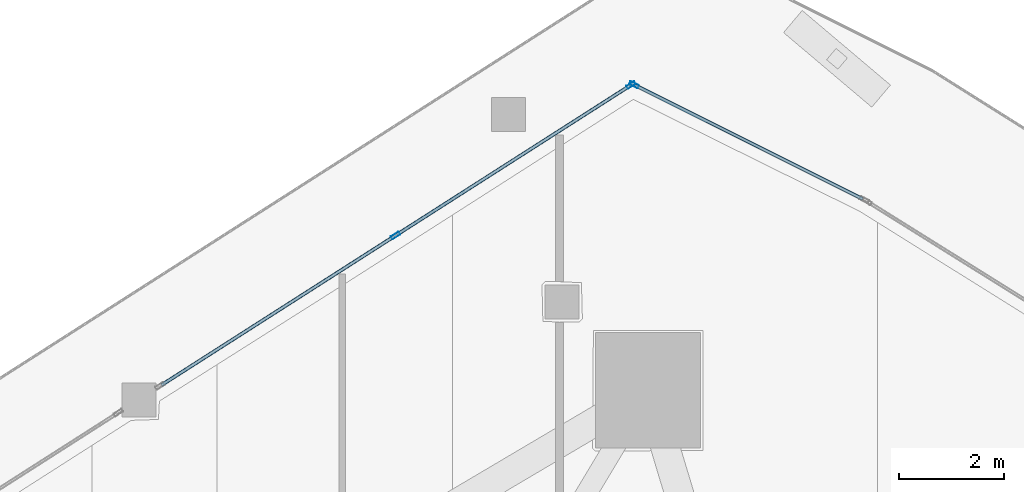
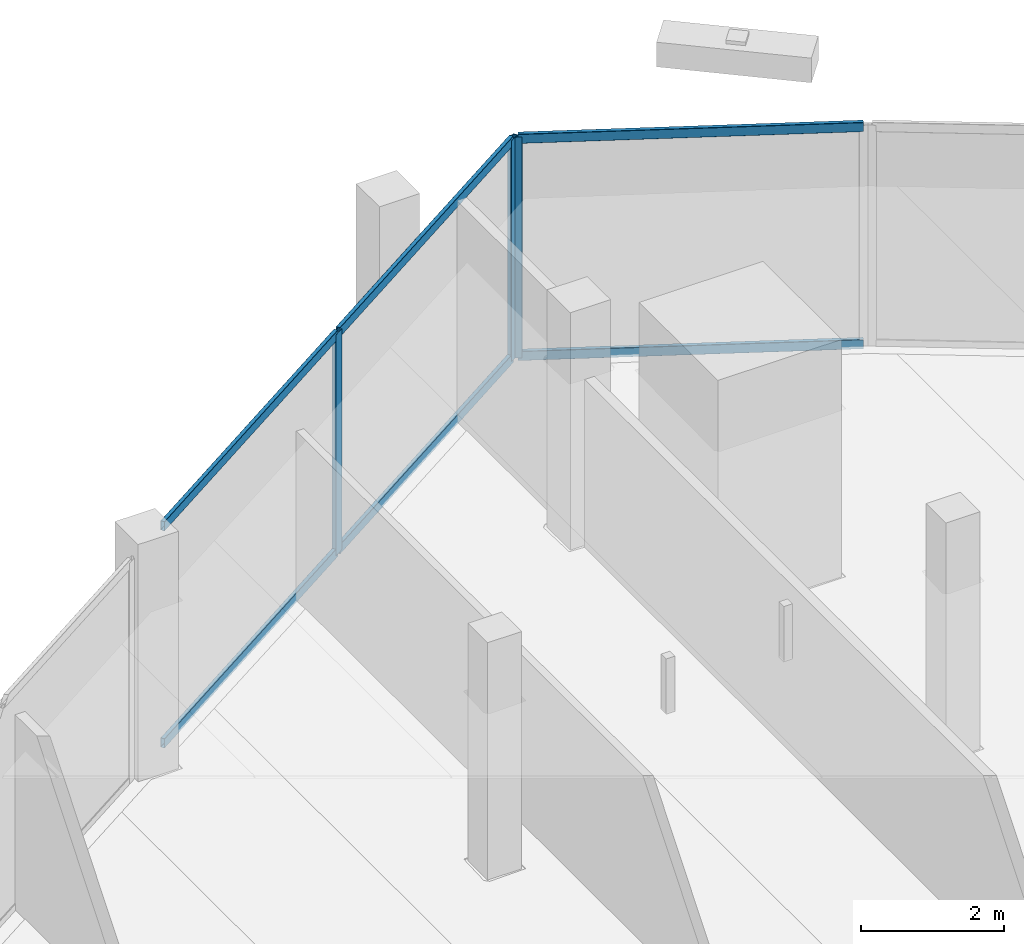
# One storey, part 23 of 44: 9 members, 2 elements without a shape of their own.
"""IFC4 building model written with IfcOpenShell, lengths in metres."""

import ifcopenshell
import ifcopenshell.guid

model = None  # the IFC model being written
_history = None  # IfcOwnerHistory: only IFC2X3 demands one
_inside = {}  # id of a spatial element -> (the spatial element, [elements in it])
_under = {}  # id of a project, library or spatial element -> (it, [spatial elements below it])
_declared = {}  # id of a project -> (the project, [libraries it declares])
_typed = {}  # id of a type object -> (the type object, [elements of that type])
_made_of = {}  # id of a material, layer set ... -> (it, [elements and type objects made of it])


def new_model(schema):
    """Start an empty IFC model of exactly this schema.

    Asked for "IFC4X3", IfcOpenShell would pick the latest addendum, in which some entities
    have other attributes; the version numbers below select the first issue.
    IFC2X3 requires an IfcOwnerHistory on every rooted entity: one is made here for all.
    """
    global model, _history
    if schema == "IFC4X3":
        model = ifcopenshell.file(schema_version=(4, 3, 0, 0))
    else:
        model = ifcopenshell.file(schema=schema)
    _inside.clear()
    _under.clear()
    _declared.clear()
    _typed.clear()
    _made_of.clear()
    _history = None
    if model.schema == "IFC2X3":
        org = make("IfcOrganization", Name="unknown")
        user = make(
            "IfcPersonAndOrganization",
            ThePerson=make("IfcPerson", FamilyName="unknown"),
            TheOrganization=org,
        )
        app = make(
            "IfcApplication",
            ApplicationDeveloper=org,
            Version="unknown",
            ApplicationFullName="unknown",
            ApplicationIdentifier="unknown",
        )
        _history = make(
            "IfcOwnerHistory",
            OwningUser=user,
            OwningApplication=app,
            ChangeAction="ADDED",
            CreationDate=0,
        )
    return model


def make(cls, **values):
    """One entity of the class cls with the attributes given. An attribute that is None is left unset."""
    return model.create_entity(
        cls, **{name: value for name, value in values.items() if value is not None}
    )


def rooted(cls, **values):
    """An entity with a GlobalId (a new one), such as an element, a storey or a relation."""
    return make(cls, GlobalId=ifcopenshell.guid.new(), OwnerHistory=_history, **values)


def si_unit(unit_type, name, prefix=None):
    """IfcSIUnit, for example si_unit("LENGTHUNIT", "METRE", prefix="MILLI")."""
    return make("IfcSIUnit", UnitType=unit_type, Prefix=prefix, Name=name)


def assignment(units):
    """IfcUnitAssignment: the units of a project."""
    return None if units is None else make("IfcUnitAssignment", Units=units)


def point(xyz):
    """IfcCartesianPoint."""
    return None if xyz is None else make("IfcCartesianPoint", Coordinates=xyz)


def direction(xyz):
    """IfcDirection."""
    return None if xyz is None else make("IfcDirection", DirectionRatios=xyz)


def frame(location, z_axis=None, x_axis=None):
    """IfcAxis2Placement3D, a coordinate frame: its origin and axes. An axis left out is left unset."""
    return make(
        "IfcAxis2Placement3D",
        Location=point(location),
        Axis=direction(z_axis),
        RefDirection=direction(x_axis),
    )


def frame_2d(location, x_axis=None):
    """IfcAxis2Placement2D, a coordinate frame in the plane: its origin and x axis."""
    return make(
        "IfcAxis2Placement2D", Location=point(location), RefDirection=direction(x_axis)
    )


def origin():
    """The frame at (0, 0, 0) with its axes left unset."""
    return frame((0.0, 0.0, 0.0))


def origin_2d():
    """The frame at (0, 0) in the plane with its x axis left unset."""
    return frame_2d((0.0, 0.0))


def place(relative_to, where):
    """IfcLocalPlacement: puts the frame where relative to a parent placement (None: the world)."""
    return make(
        "IfcLocalPlacement", PlacementRelTo=relative_to, RelativePlacement=where
    )


def context(
    kind, dimensions, precision=None, world=None, true_north=None, identifier=None
):
    """IfcGeometricRepresentationContext, for example the 3D "Model" context."""
    return make(
        "IfcGeometricRepresentationContext",
        ContextIdentifier=identifier,
        ContextType=kind,
        CoordinateSpaceDimension=dimensions,
        Precision=precision,
        WorldCoordinateSystem=world,
        TrueNorth=true_north,
    )


def subcontext(parent, identifier, kind, view, scale=None):
    """IfcGeometricRepresentationSubContext, for example "Body" below "Model"."""
    return make(
        "IfcGeometricRepresentationSubContext",
        ContextIdentifier=identifier,
        ContextType=kind,
        ParentContext=parent,
        TargetScale=scale,
        TargetView=view,
    )


def project(units=None, contexts=None):
    """IfcProject with its units and contexts."""
    return rooted(
        "IfcProject",
        Name="project",
        RepresentationContexts=contexts,
        UnitsInContext=assignment(units),
    )


def spatial(cls, under=None, at=None, **own):
    """A site, building, storey or space (cls), placed at a placement, below another one or the project."""
    s = rooted(cls, ObjectPlacement=at, **own)
    if under is not None:
        _under.setdefault(under.id(), (under, []))[1].append(s)
    return s


def profile(cls, at=None, kind="AREA", **sizes):
    """A parametric profile (cls). Its sizes go by their IFC names, for example OverallWidth=200.0."""
    return make(cls, ProfileType=kind, Position=at, **sizes)


def hollow_rectangle(**sizes):
    """IfcRectangleHollowProfileDef."""
    return profile("IfcRectangleHollowProfileDef", **sizes)


def extrude(swept, where, along, depth):
    """IfcExtrudedAreaSolid: the profile swept, set in the frame where, extruded along a direction by depth."""
    return make(
        "IfcExtrudedAreaSolid",
        SweptArea=swept,
        Position=where,
        ExtrudedDirection=direction(along),
        Depth=depth,
    )


def shape(context_of_items, identifier, shape_type, items):
    """IfcShapeRepresentation: the items that make up one representation, for example the "Body"."""
    return make(
        "IfcShapeRepresentation",
        ContextOfItems=context_of_items,
        RepresentationIdentifier=identifier,
        RepresentationType=shape_type,
        Items=items,
    )


def material(Name=None, Category=None):
    """IfcMaterial."""
    return make("IfcMaterial", Name=Name, Category=Category)


def layer(
    of_material, thickness, ventilated=None, Name=None, Category=None, Priority=None
):
    """IfcMaterialLayer: one layer of a wall or slab, of a material (None: an air gap)."""
    return make(
        "IfcMaterialLayer",
        Material=of_material,
        LayerThickness=thickness,
        IsVentilated=ventilated,
        Name=Name,
        Category=Category,
        Priority=Priority,
    )


def layer_set(layers, Name=None):
    """IfcMaterialLayerSet."""
    return make("IfcMaterialLayerSet", MaterialLayers=layers, LayerSetName=Name)


def material_profile(
    of_material, cross_section, Name=None, Category=None, Priority=None
):
    """IfcMaterialProfile: a cross section and its material."""
    return make(
        "IfcMaterialProfile",
        Name=Name,
        Material=of_material,
        Profile=cross_section,
        Priority=Priority,
        Category=Category,
    )


def profile_set(profiles, Name=None, composite=None):
    """IfcMaterialProfileSet."""
    return make(
        "IfcMaterialProfileSet",
        Name=Name,
        MaterialProfiles=profiles,
        CompositeProfile=composite,
    )


def made_of(thing, what):
    """Note that an element or type object is made of a material, layer set ...; save() writes the relation."""
    if what is not None:
        _made_of.setdefault(what.id(), (what, []))[1].append(thing)
    return thing


def type_object(cls, material=None, **own):
    """A type object (cls), such as IfcWallType, which elements share."""
    return made_of(rooted(cls, **own), material)


def element(
    cls,
    number,
    at=None,
    inside=None,
    cuts=None,
    type_object=None,
    material=None,
    context=None,
    identifier="Body",
    shape_type=None,
    held_by="IfcProductDefinitionShape",
    body=None,
    shapes=None,
    **own,
):
    """One element of the class cls, such as IfcWall. Its Tag is "e" and its number.

    at: its placement. inside: the storey or other place that contains it. cuts: it is an
    opening in that element (IfcRelVoidsElement). A single representation is given by context,
    identifier, shape_type and body (its items); several are given by shapes. held_by: the class
    of the entity that holds the representations. save() writes the other relations.
    """
    e = rooted(cls, Tag="e%d" % number, ObjectPlacement=at, **own)
    if body is not None:
        shapes = [shape(context, identifier, shape_type, body)]
    if shapes is not None:
        e.Representation = make(held_by, Representations=shapes)
    if inside is not None:
        _inside.setdefault(inside.id(), (inside, []))[1].append(e)
    if cuts is not None:
        rooted(
            "IfcRelVoidsElement", RelatingBuildingElement=cuts, RelatedOpeningElement=e
        )
    if type_object is not None:
        _typed.setdefault(type_object.id(), (type_object, []))[1].append(e)
    return made_of(e, material)


def aggregate(whole, parts):
    """IfcRelAggregates: a whole, such as a stair, and the parts it consists of."""
    return rooted("IfcRelAggregates", RelatingObject=whole, RelatedObjects=parts)


def save(model, path):
    """Write the relations noted so far, then the file.

    IfcRelAggregates (storeys below a building ...), IfcRelContainedInSpatialStructure (elements
    in a storey), IfcRelDefinesByType, IfcRelAssociatesMaterial and IfcRelDeclares: one each for
    every whole, place, type object, material and project.
    """
    for whole, parts in _under.values():
        aggregate(whole, parts)
    for where, things in _inside.values():
        rooted(
            "IfcRelContainedInSpatialStructure",
            RelatedElements=things,
            RelatingStructure=where,
        )
    for kind, things in _typed.values():
        rooted("IfcRelDefinesByType", RelatedObjects=things, RelatingType=kind)
    for what, things in _made_of.values():
        rooted("IfcRelAssociatesMaterial", RelatedObjects=things, RelatingMaterial=what)
    for by, libraries in _declared.values():
        rooted("IfcRelDeclares", RelatingContext=by, RelatedDefinitions=libraries)
    model.write(path)


model = new_model("IFC4")

# Units and contexts
model_context = context("Model", 3, precision=1e-05, world=origin(), true_north=direction((0.0, 1.0)))
body_context = subcontext(model_context, "Body", "Model", "MODEL_VIEW")
ifc_project = project(units=[si_unit("LENGTHUNIT", "METRE"), si_unit("AREAUNIT", "SQUARE_METRE"), si_unit("VOLUMEUNIT", "CUBIC_METRE"), si_unit("PLANEANGLEUNIT", "RADIAN"), si_unit("MASSUNIT", "GRAM", prefix="KILO")], contexts=[model_context])

# Site, building, storey
site_placement = place(None, origin())
site = spatial("IfcSite", under=ifc_project, at=site_placement, CompositionType="ELEMENT")
building_placement = place(site_placement, origin())
building = spatial("IfcBuilding", under=site, at=building_placement, Name="Qorvath Tower", CompositionType="ELEMENT")
storey_placement = place(building_placement, frame((0.0, 0.0, 113.85009765625)))
storey = spatial("IfcBuildingStorey", under=building, at=storey_placement, Name="L25", CompositionType="ELEMENT", Elevation=113.85009765625)

# Curtain wall, member
ifc_material_1 = material(Name="Anodised aluminium and triple low-E glass", Category="aluminium")
ifc_layer = layer(ifc_material_1, 0.179931640625)
ifc_layer_set = layer_set([ifc_layer], Name="CW-SYS-2")
curtain_wall_type = type_object("IfcCurtainWallType", Name="CW-SYS-2", PredefinedType="NOTDEFINED", material=ifc_layer_set)
curtain_wall_1_placement = place(storey_placement, origin())
curtain_wall_1 = element("IfcCurtainWall", 1, at=curtain_wall_1_placement, inside=storey, type_object=curtain_wall_type, Name="Curtain Wall CW-2 CW-T-L25-15.1", PredefinedType="NOTDEFINED")
ifc_material_2 = material(Name="Anodised aluminium 6063-T6", Category="aluminium")
ifc_material_profile_1 = material_profile(ifc_material_2, hollow_rectangle(XDim=0.06494140625, YDim=0.179931640625, WallThickness=0.00341796875, InnerFilletRadius=0.00341796875, OuterFilletRadius=0.007080078125, at=origin_2d()), Name="CWM 180x65")
ifc_profile_set_1 = profile_set([ifc_material_profile_1], Name="Anodised aluminium 6063-T6")
member_type_1 = type_object("IfcMemberType", Name="CWM-180", PredefinedType="MULLION", material=ifc_profile_set_1)
member_1_placement = place(storey_placement, frame((-15.61083984375, 31.065673828125, 0.0), z_axis=(0.0, 0.0, 1.0), x_axis=(-0.447181364469, -0.89444330579, 0.0)))
member_1 = element("IfcMember", 2, at=member_1_placement, type_object=member_type_1, Name="CW-2 mullion 2", PredefinedType="MULLION", context=body_context, shape_type="SweptSolid", body=[
    extrude(hollow_rectangle(XDim=0.06494140625, YDim=0.179931640625, WallThickness=0.00341796875, InnerFilletRadius=0.00341796875, OuterFilletRadius=0.007080078125, at=origin_2d()), origin(), (0.0, 0.0, 1.0), 3.77001953125),
])

# Curtain wall, members
curtain_wall_2_placement = place(storey_placement, origin())
curtain_wall_2 = element("IfcCurtainWall", 3, at=curtain_wall_2_placement, inside=storey, type_object=curtain_wall_type, Name="Curtain Wall CW-2 CW-T-L25-16.1", PredefinedType="NOTDEFINED")
member_2_placement = place(storey_placement, frame((-15.667236328125, 31.062744140625, 0.0), z_axis=(0.0, 0.0, 1.0), x_axis=(0.538532879619, -0.842604496528, 0.0)))
member_2 = element("IfcMember", 4, at=member_2_placement, type_object=member_type_1, Name="CW-2 mullion 1", PredefinedType="MULLION", context=body_context, shape_type="SweptSolid", body=[
    extrude(hollow_rectangle(XDim=0.06494140625, YDim=0.179931640625, WallThickness=0.00341796875, InnerFilletRadius=0.00341796875, OuterFilletRadius=0.007080078125, at=origin_2d()), origin(), (0.0, 0.0, 1.0), 3.77001953125),
])
member_3_placement = place(storey_placement, frame((-20.15380859375, 28.1953125, 0.0), z_axis=(0.0, 0.0, 1.0), x_axis=(0.538532879619, -0.842604496528, 0.0)))
member_3 = element("IfcMember", 5, at=member_3_placement, type_object=member_type_1, Name="CW-2 mullion 2", PredefinedType="MULLION", context=body_context, shape_type="SweptSolid", body=[
    extrude(hollow_rectangle(XDim=0.06494140625, YDim=0.179931640625, WallThickness=0.00341796875, InnerFilletRadius=0.00341796875, OuterFilletRadius=0.007080078125, at=origin_2d()), origin(), (0.0, 0.0, 1.0), 3.77001953125),
])

# Member
ifc_material_3 = material(Name="Anodised aluminium 6063-T6", Category="aluminium")
ifc_material_profile_2 = material_profile(ifc_material_3, hollow_rectangle(XDim=0.06494140625, YDim=0.159912109375, WallThickness=0.00341796875, InnerFilletRadius=0.00341796875, OuterFilletRadius=0.007080078125, at=origin_2d()), Name="CWT 160x65")
ifc_profile_set_2 = profile_set([ifc_material_profile_2], Name="Anodised aluminium 6063-T6")
member_type_2 = type_object("IfcMemberType", Name="CWT-160", PredefinedType="USERDEFINED", material=ifc_profile_set_2)
member_4_placement = place(storey_placement, frame((-11.2578125, 28.889404296875, 0.032470703125), z_axis=(-0.894437291131, 0.447193394668, 0.0), x_axis=(-0.447193394668, -0.894437291131, 0.0)))
member_4 = element("IfcMember", 6, at=member_4_placement, type_object=member_type_2, Name="CW-2 transom 1.1", ObjectType="TRANSOM", PredefinedType="USERDEFINED", context=body_context, shape_type="SweptSolid", body=[
    extrude(hollow_rectangle(XDim=0.06494140625, YDim=0.159912109375, WallThickness=0.00341796875, InnerFilletRadius=0.00341796875, OuterFilletRadius=0.007080078125, at=origin_2d()), origin(), (0.0, 0.0, 1.0), 4.834228515625),
])

member_5_placement = place(storey_placement, frame((-11.2578125, 28.889404296875, 3.737548828125), z_axis=(-0.894437291131, 0.447193394668, 0.0), x_axis=(-0.447193394668, -0.894437291131, 0.0)))
member_5 = element("IfcMember", 7, at=member_5_placement, type_object=member_type_2, Name="CW-2 transom 1.2", ObjectType="TRANSOM", PredefinedType="USERDEFINED", context=body_context, shape_type="SweptSolid", body=[
    extrude(hollow_rectangle(XDim=0.06494140625, YDim=0.159912109375, WallThickness=0.00341796875, InnerFilletRadius=0.00341796875, OuterFilletRadius=0.007080078125, at=origin_2d()), origin(), (0.0, 0.0, 1.0), 4.834228515625),
])

aggregate(curtain_wall_1, [member_1, member_4, member_5])

member_6_placement = place(storey_placement, frame((-15.694580078125, 31.04541015625, 0.032470703125), z_axis=(-0.842593283783, -0.538550423009, 0.0), x_axis=(0.538550423009, -0.842593283783, 0.0)))
member_6 = element("IfcMember", 8, at=member_6_placement, type_object=member_type_2, Name="CW-2 transom 1.1", ObjectType="TRANSOM", PredefinedType="USERDEFINED", context=body_context, shape_type="SweptSolid", body=[
    extrude(hollow_rectangle(XDim=0.06494140625, YDim=0.159912109375, WallThickness=0.00341796875, InnerFilletRadius=0.00341796875, OuterFilletRadius=0.007080078125, at=origin_2d()), origin(), (0.0, 0.0, 1.0), 5.259521484375),
])

member_7_placement = place(storey_placement, frame((-15.694580078125, 31.04541015625, 3.737548828125), z_axis=(-0.842593283783, -0.538550423009, 0.0), x_axis=(0.538550423009, -0.842593283783, 0.0)))
member_7 = element("IfcMember", 9, at=member_7_placement, type_object=member_type_2, Name="CW-2 transom 1.2", ObjectType="TRANSOM", PredefinedType="USERDEFINED", context=body_context, shape_type="SweptSolid", body=[
    extrude(hollow_rectangle(XDim=0.06494140625, YDim=0.159912109375, WallThickness=0.00341796875, InnerFilletRadius=0.00341796875, OuterFilletRadius=0.007080078125, at=origin_2d()), origin(), (0.0, 0.0, 1.0), 5.259521484375),
])

member_8_placement = place(storey_placement, frame((-20.18115234375, 28.177978515625, 0.032470703125), z_axis=(-0.842593283783, -0.538550423009, 0.0), x_axis=(0.538550423009, -0.842593283783, 0.0)))
member_8 = element("IfcMember", 10, at=member_8_placement, type_object=member_type_2, Name="CW-2 transom 2.1", ObjectType="TRANSOM", PredefinedType="USERDEFINED", context=body_context, shape_type="SweptSolid", body=[
    extrude(hollow_rectangle(XDim=0.06494140625, YDim=0.159912109375, WallThickness=0.00341796875, InnerFilletRadius=0.00341796875, OuterFilletRadius=0.007080078125, at=origin_2d()), origin(), (0.0, 0.0, 1.0), 5.259521484375),
])

member_9_placement = place(storey_placement, frame((-20.18115234375, 28.177978515625, 3.737548828125), z_axis=(-0.842593283783, -0.538550423009, 0.0), x_axis=(0.538550423009, -0.842593283783, 0.0)))
member_9 = element("IfcMember", 11, at=member_9_placement, type_object=member_type_2, Name="CW-2 transom 2.2", ObjectType="TRANSOM", PredefinedType="USERDEFINED", context=body_context, shape_type="SweptSolid", body=[
    extrude(hollow_rectangle(XDim=0.06494140625, YDim=0.159912109375, WallThickness=0.00341796875, InnerFilletRadius=0.00341796875, OuterFilletRadius=0.007080078125, at=origin_2d()), origin(), (0.0, 0.0, 1.0), 5.259521484375),
])

aggregate(curtain_wall_2, [member_2, member_3, member_6, member_7, member_8, member_9])

save(model, "model.ifc")
